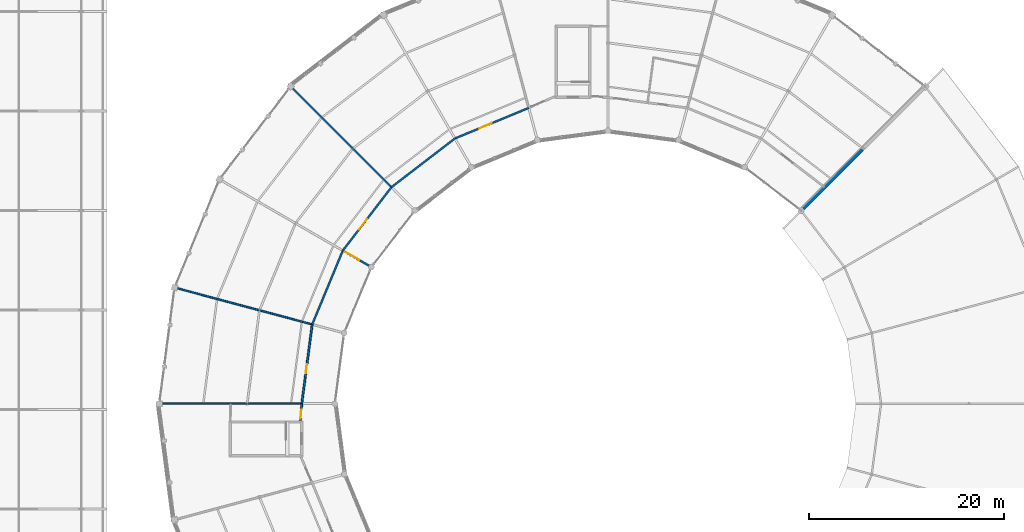
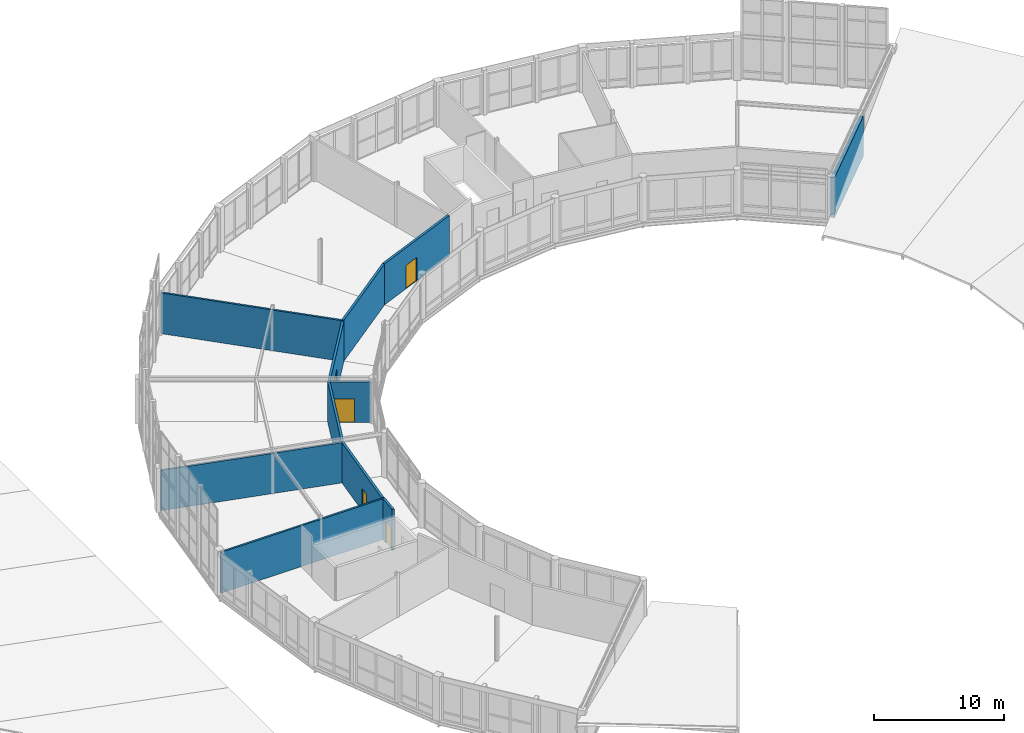
# One storey, part 182 of 200: 11 walls, 5 doors, 5 openings.
"""IFC4 building model written with IfcOpenShell, lengths in metres."""

from ifc_helpers import new_model, si_unit, direction, frame, frame_2d, origin, place, context, subcontext, project, spatial, rectangle, extrude, material, layer, layer_set, type_object, element, fill, save


model = new_model("IFC4")

# Units and contexts
model_context = context("Model", 3, precision=1e-05, world=origin(), true_north=direction((0.0, 1.0)))
body_context = subcontext(model_context, "Body", "Model", "MODEL_VIEW")
ifc_project = project(units=[si_unit("LENGTHUNIT", "METRE"), si_unit("AREAUNIT", "SQUARE_METRE"), si_unit("VOLUMEUNIT", "CUBIC_METRE"), si_unit("PLANEANGLEUNIT", "RADIAN"), si_unit("MASSUNIT", "GRAM", prefix="KILO")], contexts=[model_context])

# Site, building, storey
site_placement = place(None, origin())
site = spatial("IfcSite", under=ifc_project, at=site_placement, CompositionType="ELEMENT")
building_placement = place(site_placement, origin())
building = spatial("IfcBuilding", under=site, at=building_placement, Name="Vondelvale Polytechnic", CompositionType="ELEMENT")
storey_placement = place(building_placement, frame((0.0, 0.0, 13.800048828125)))
storey = spatial("IfcBuildingStorey", under=building, at=storey_placement, Name="L03", CompositionType="ELEMENT", Elevation=13.800048828125)

# Wall
ifc_material_1 = material(Name="Amsterdam School iron-spot clinker clay brickwork", Category="masonry")
ifc_layer_1 = layer(ifc_material_1, 0.340087890625)
ifc_layer_set_1 = layer_set([ifc_layer_1], Name="WL-BRICK-340")
wall_type_1 = type_object("IfcWallType", Name="WL-BRICK-340", PredefinedType="SOLIDWALL", material=ifc_layer_set_1)
wall_1_placement = place(storey_placement, frame((122.01171875, 92.01171875, 0.0), z_axis=(0.0, 0.0, 1.0), x_axis=(0.707106781187, 0.707106781187, 0.0)))
element("IfcWall", 1, at=wall_1_placement, inside=storey, type_object=wall_type_1, Name="L03 exterior masonry facade wall", PredefinedType="SOLIDWALL", context=body_context, shape_type="SweptSolid", body=[
    extrude(rectangle(XDim=8.5712890625, YDim=0.340087890625, at=frame_2d((4.28564453125, 0.0))), origin(), (0.0, 0.0, 1.0), 3.760009765625),
])

# Wall, opening, door
ifc_material_2 = material(Name="Fire-rated double-layer plasterboard stud partition")
ifc_layer_2 = layer(ifc_material_2, 0.199951171875)
ifc_layer_set_2 = layer_set([ifc_layer_2], Name="WL-CORR-200")
wall_type_2 = type_object("IfcWallType", Name="WL-CORR-200", PredefinedType="PARTITIONING", material=ifc_layer_set_2)
wall_2_placement = place(storey_placement, frame((77.6474609375, 86.06005859375, 0.0), z_axis=(0.0, 0.0, 1.0), x_axis=(-0.866040564224, 0.499973740429, 0.0)))
wall_2 = element("IfcWall", 2, at=wall_2_placement, inside=storey, type_object=wall_type_2, Name="L03 interior acoustic partition", PredefinedType="PARTITIONING", context=body_context, shape_type="SweptSolid", body=[
    extrude(rectangle(XDim=3.280029296875, YDim=0.199951171875, at=frame_2d((1.64013671875, 0.0))), origin(), (0.0, 0.0, 1.0), 3.77685546875),
])
opening_1_placement = place(wall_2_placement, frame((1.320068359375, 0.0, 0.0)))
opening_1 = element("IfcOpeningElement", 3, at=opening_1_placement, cuts=wall_2, Name="Opening ID-0342", PredefinedType="OPENING", context=body_context, shape_type="SweptSolid", body=[
    extrude(rectangle(XDim=1.699951171875, YDim=2.199951171875, at=frame_2d((0.85009765625, 1.10009765625))), frame((0.0, 0.10986328125, 0.0), z_axis=(0.0, -1.0, 0.0), x_axis=(1.0, 0.0, 0.0)), (0.0, 0.0, 1.0), 0.219970703125),
])
ifc_material_3 = material(Name="Fire-rated solid Tasmanian oak joinery")
door_type_1 = type_object("IfcDoorType", Name="DR-COR-1700x2200", OperationType="DOUBLE_DOOR_SINGLE_SWING", PredefinedType="DOOR", material=ifc_material_3)
door_1_placement = place(opening_1_placement, origin())
door_1 = element("IfcDoor", 4, at=door_1_placement, inside=storey, type_object=door_type_1, Name="L03 interior room door ID-0342", OperationType="DOUBLE_DOOR_SINGLE_SWING", OverallHeight=2.199951171875, OverallWidth=1.699951171875, PredefinedType="DOOR", context=body_context, shape_type="SweptSolid", body=[
    extrude(rectangle(XDim=1.699951171875, YDim=2.199951171875, at=frame_2d((0.85009765625, 1.10009765625))), frame((0.0, 0.02490234375, 0.0), z_axis=(0.0, -1.0, 0.0), x_axis=(1.0, 0.0, 0.0)), (0.0, 0.0, 1.0), 0.050048828125),
])
fill(opening_1, door_1)

wall_3_placement = place(storey_placement, frame((70.60009765625, 72.0, 0.0), z_axis=(0.0, 0.0, 1.0), x_axis=(-0.07984138391, -0.996807580938, 0.0)))
wall_3 = element("IfcWall", 5, at=wall_3_placement, inside=storey, type_object=wall_type_2, Name="L03 interior acoustic partition", PredefinedType="PARTITIONING", context=body_context, shape_type="SweptSolid", body=[
    extrude(rectangle(XDim=1.71533203125, YDim=0.199951171875, at=frame_2d((0.857666015625, 0.0))), origin(), (0.0, 0.0, 1.0), 3.849853515625),
])
opening_2_placement = place(wall_3_placement, frame((0.60546875, 0.0, 0.0)))
opening_2 = element("IfcOpeningElement", 6, at=opening_2_placement, cuts=wall_3, Name="Opening ID-0347", PredefinedType="OPENING", context=body_context, shape_type="SweptSolid", body=[
    extrude(rectangle(XDim=0.949951171875, YDim=2.10009765625, at=frame_2d((0.47509765625, 1.050048828125))), frame((0.0, 0.10986328125, 0.0), z_axis=(0.0, -1.0, 0.0), x_axis=(1.0, 0.0, 0.0)), (0.0, 0.0, 1.0), 0.219970703125),
])
door_type_2 = type_object("IfcDoorType", Name="DR-INT-0950x2100", OperationType="SINGLE_SWING_LEFT", PredefinedType="DOOR", material=ifc_material_3)
door_2_placement = place(opening_2_placement, origin())
door_2 = element("IfcDoor", 7, at=door_2_placement, inside=storey, type_object=door_type_2, Name="L03 interior room door ID-0347", OperationType="SINGLE_SWING_LEFT", OverallHeight=2.10009765625, OverallWidth=0.949951171875, PredefinedType="DOOR", context=body_context, shape_type="SweptSolid", body=[
    extrude(rectangle(XDim=0.949951171875, YDim=2.10009765625, at=frame_2d((0.47509765625, 1.050048828125))), frame((0.0, 0.02490234375, 0.0), z_axis=(0.0, -1.0, 0.0), x_axis=(1.0, 0.0, 0.0)), (0.0, 0.0, 1.0), 0.050048828125),
])
fill(opening_2, door_2)

wall_4_placement = place(storey_placement, frame((93.873046875, 102.330078125, 0.0), z_axis=(0.0, 0.0, 1.0), x_axis=(-0.923874167149, -0.382696385238, 0.0)))
wall_4 = element("IfcWall", 8, at=wall_4_placement, inside=storey, type_object=wall_type_2, Name="L03 interior acoustic partition", PredefinedType="PARTITIONING", context=body_context, shape_type="SweptSolid", body=[
    extrude(rectangle(XDim=8.197021484375, YDim=0.199951171875, at=frame_2d((4.0986328125, 0.0))), origin(), (0.0, 0.0, 1.0), 3.849853515625),
])
opening_3_placement = place(wall_4_placement, frame((4.10009765625, 0.0, 0.0)))
opening_3 = element("IfcOpeningElement", 9, at=opening_3_placement, cuts=wall_4, Name="Opening ID-0350", PredefinedType="OPENING", context=body_context, shape_type="SweptSolid", body=[
    extrude(rectangle(XDim=1.39990234375, YDim=2.199951171875, at=frame_2d((0.699951171875, 1.10009765625))), frame((0.0, 0.10986328125, 0.0), z_axis=(0.0, -1.0, 0.0), x_axis=(1.0, 0.0, 0.0)), (0.0, 0.0, 1.0), 0.219970703125),
])
door_type_3 = type_object("IfcDoorType", Name="DR-LAB-1400x2200", OperationType="DOUBLE_DOOR_SINGLE_SWING", PredefinedType="DOOR", material=ifc_material_3)
door_3_placement = place(opening_3_placement, origin())
door_3 = element("IfcDoor", 10, at=door_3_placement, inside=storey, type_object=door_type_3, Name="L03 interior room door ID-0350", OperationType="DOUBLE_DOOR_SINGLE_SWING", OverallHeight=2.199951171875, OverallWidth=1.39990234375, PredefinedType="DOOR", context=body_context, shape_type="SweptSolid", body=[
    extrude(rectangle(XDim=1.39990234375, YDim=2.199951171875, at=frame_2d((0.699951171875, 1.10009765625))), frame((0.0, 0.02490234375, 0.0), z_axis=(0.0, -1.0, 0.0), x_axis=(1.0, 0.0, 0.0)), (0.0, 0.0, 1.0), 0.050048828125),
])
fill(opening_3, door_3)

# Wall
wall_5_placement = place(storey_placement, frame((86.300048828125, 99.193115234375, 0.0), z_axis=(0.0, 0.0, 1.0), x_axis=(-0.793357497113, -0.608756011694, 0.0)))
element("IfcWall", 11, at=wall_5_placement, inside=storey, type_object=wall_type_2, Name="L03 interior acoustic partition", PredefinedType="PARTITIONING", context=body_context, shape_type="SweptSolid", body=[
    extrude(rectangle(XDim=8.197021484375, YDim=0.199951171875, at=frame_2d((4.0986328125, 0.0))), origin(), (0.0, 0.0, 1.0), 3.849853515625),
])

# Wall, opening, door
wall_6_placement = place(storey_placement, frame((79.796875, 94.203125, 0.0), z_axis=(0.0, 0.0, 1.0), x_axis=(-0.608756011694, -0.793357497113, 0.0)))
wall_6 = element("IfcWall", 12, at=wall_6_placement, inside=storey, type_object=wall_type_2, Name="L03 interior acoustic partition", PredefinedType="PARTITIONING", context=body_context, shape_type="SweptSolid", body=[
    extrude(rectangle(XDim=8.197021484375, YDim=0.199951171875, at=frame_2d((4.0986328125, 0.0))), origin(), (0.0, 0.0, 1.0), 3.77685546875),
])
opening_4_placement = place(wall_6_placement, frame((4.10009765625, 0.0, 0.0)))
opening_4 = element("IfcOpeningElement", 13, at=opening_4_placement, cuts=wall_6, Name="Opening ID-0351", PredefinedType="OPENING", context=body_context, shape_type="SweptSolid", body=[
    extrude(rectangle(XDim=1.39990234375, YDim=2.199951171875, at=frame_2d((0.699951171875, 1.10009765625))), frame((0.0, 0.10986328125, 0.0), z_axis=(0.0, -1.0, 0.0), x_axis=(1.0, 0.0, 0.0)), (0.0, 0.0, 1.0), 0.219970703125),
])
door_4_placement = place(opening_4_placement, origin())
door_4 = element("IfcDoor", 14, at=door_4_placement, inside=storey, type_object=door_type_3, Name="L03 interior room door ID-0351", OperationType="DOUBLE_DOOR_SINGLE_SWING", OverallHeight=2.199951171875, OverallWidth=1.39990234375, PredefinedType="DOOR", context=body_context, shape_type="SweptSolid", body=[
    extrude(rectangle(XDim=1.39990234375, YDim=2.199951171875, at=frame_2d((0.699951171875, 1.10009765625))), frame((0.0, 0.02490234375, 0.0), z_axis=(0.0, -1.0, 0.0), x_axis=(1.0, 0.0, 0.0)), (0.0, 0.0, 1.0), 0.050048828125),
])
fill(opening_4, door_4)

# Wall
wall_7_placement = place(storey_placement, frame((74.806884765625, 87.699951171875, 0.0), z_axis=(0.0, 0.0, 1.0), x_axis=(-0.382696385238, -0.923874167149, 0.0)))
element("IfcWall", 15, at=wall_7_placement, inside=storey, type_object=wall_type_2, Name="L03 interior acoustic partition", PredefinedType="PARTITIONING", context=body_context, shape_type="SweptSolid", body=[
    extrude(rectangle(XDim=8.197021484375, YDim=0.199951171875, at=frame_2d((4.0986328125, 0.0))), origin(), (0.0, 0.0, 1.0), 3.77685546875),
])

# Wall, opening, door
wall_8_placement = place(storey_placement, frame((71.669921875, 80.126953125, 0.0), z_axis=(0.0, 0.0, 1.0), x_axis=(-0.130513066404, -0.991446589332, 0.0)))
wall_8 = element("IfcWall", 16, at=wall_8_placement, inside=storey, type_object=wall_type_2, Name="L03 interior acoustic partition", PredefinedType="PARTITIONING", context=body_context, shape_type="SweptSolid", body=[
    extrude(rectangle(XDim=8.197021484375, YDim=0.199951171875, at=frame_2d((4.0986328125, 0.0))), origin(), (0.0, 0.0, 1.0), 3.77685546875),
])
opening_5_placement = place(wall_8_placement, frame((4.10009765625, 0.0, 0.0)))
opening_5 = element("IfcOpeningElement", 17, at=opening_5_placement, cuts=wall_8, Name="Opening ID-0352", PredefinedType="OPENING", context=body_context, shape_type="SweptSolid", body=[
    extrude(rectangle(XDim=0.949951171875, YDim=2.10009765625, at=frame_2d((0.47509765625, 1.050048828125))), frame((0.0, 0.10986328125, 0.0), z_axis=(0.0, -1.0, 0.0), x_axis=(1.0, 0.0, 0.0)), (0.0, 0.0, 1.0), 0.219970703125),
])
door_5_placement = place(opening_5_placement, origin())
door_5 = element("IfcDoor", 18, at=door_5_placement, inside=storey, type_object=door_type_2, Name="L03 interior room door ID-0352", OperationType="SINGLE_SWING_RIGHT", OverallHeight=2.10009765625, OverallWidth=0.949951171875, PredefinedType="DOOR", context=body_context, shape_type="SweptSolid", body=[
    extrude(rectangle(XDim=0.949951171875, YDim=2.10009765625, at=frame_2d((0.47509765625, 1.050048828125))), frame((0.0, 0.02490234375, 0.0), z_axis=(0.0, -1.0, 0.0), x_axis=(1.0, 0.0, 0.0)), (0.0, 0.0, 1.0), 0.050048828125),
])
fill(opening_5, door_5)

# Walls
ifc_layer_3 = layer(ifc_material_2, 0.1650390625)
ifc_layer_set_3 = layer_set([ifc_layer_3], Name="WL-INT-165")
wall_type_3 = type_object("IfcWallType", Name="WL-INT-165", PredefinedType="PARTITIONING", material=ifc_layer_set_3)
wall_9_placement = place(storey_placement, frame((70.60009765625, 72.0, 0.0), z_axis=(0.0, 0.0, 1.0), x_axis=(-1.0, 0.0, 0.0)))
element("IfcWall", 19, at=wall_9_placement, inside=storey, type_object=wall_type_3, Name="L03 interior acoustic partition", PredefinedType="PARTITIONING", context=body_context, shape_type="SweptSolid", body=[
    extrude(rectangle(XDim=14.47998046875, YDim=0.1650390625, at=frame_2d((7.239990234375, 0.0))), origin(), (0.0, 0.0, 1.0), 3.827880859375),
])
wall_10_placement = place(storey_placement, frame((79.796875, 94.203125, 0.0), z_axis=(0.0, 0.0, 1.0), x_axis=(-0.707106781187, 0.707106781187, 0.0)))
element("IfcWall", 20, at=wall_10_placement, inside=storey, type_object=wall_type_3, Name="L03 interior acoustic partition", PredefinedType="PARTITIONING", context=body_context, shape_type="SweptSolid", body=[
    extrude(rectangle(XDim=14.480224609375, YDim=0.1650390625, at=frame_2d((7.240234375, 0.0))), origin(), (0.0, 0.0, 1.0), 3.827880859375),
])
wall_11_placement = place(storey_placement, frame((71.669921875, 80.126953125, 0.0), z_axis=(0.0, 0.0, 1.0), x_axis=(-0.965928107853, 0.258810530041, 0.0)))
element("IfcWall", 21, at=wall_11_placement, inside=storey, type_object=wall_type_3, Name="L03 interior acoustic partition", PredefinedType="PARTITIONING", context=body_context, shape_type="SweptSolid", body=[
    extrude(rectangle(XDim=14.47998046875, YDim=0.1650390625, at=frame_2d((7.239990234375, 0.0))), origin(), (0.0, 0.0, 1.0), 3.77685546875),
])

save(model, "model.ifc")
